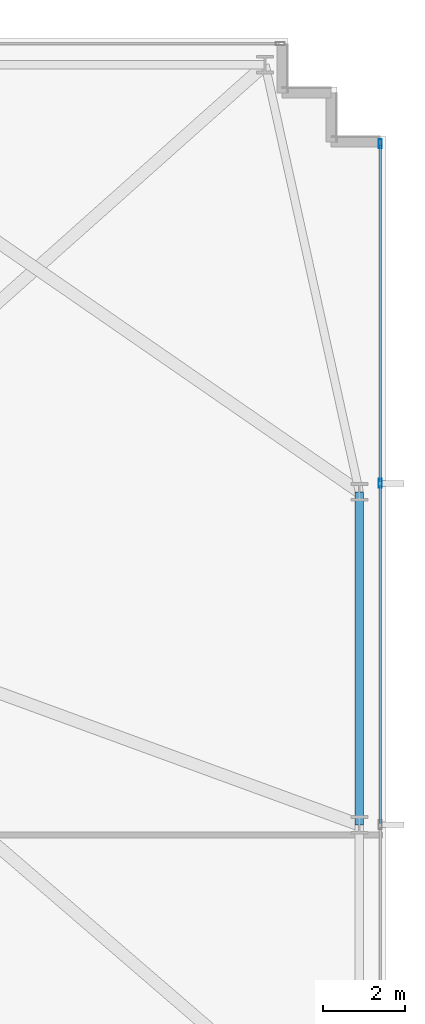
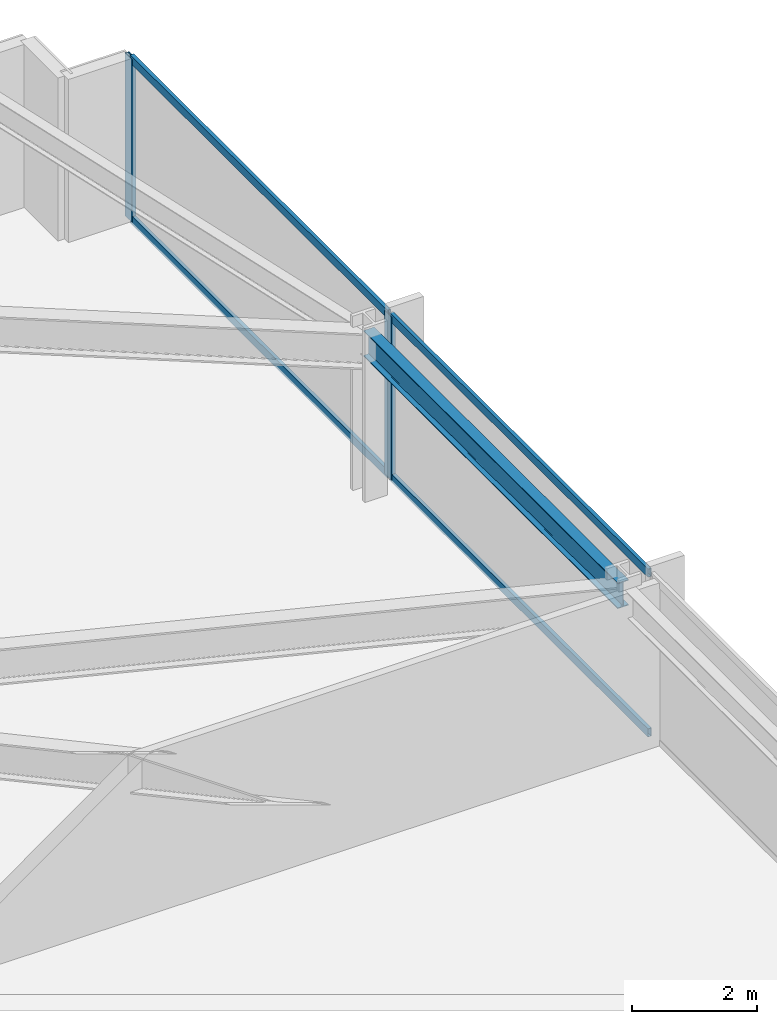
# One storey, part 23 of 33: 6 members, 1 beam, 1 element without a shape of its own.
"""IFC4 building model written with IfcOpenShell, lengths in metres."""

from ifc_helpers import new_model, si_unit, direction, frame, origin, origin_2d, place, context, subcontext, project, spatial, hollow_rectangle, i_section, extrude, material, material_profile, profile_set, type_object, element, aggregate, save


model = new_model("IFC4")

# Units and contexts
model_context = context("Model", 3, precision=1e-05, world=origin(), true_north=direction((0.0, 1.0)))
body_context = subcontext(model_context, "Body", "Model", "MODEL_VIEW")
ifc_project = project(units=[si_unit("LENGTHUNIT", "METRE"), si_unit("AREAUNIT", "SQUARE_METRE"), si_unit("VOLUMEUNIT", "CUBIC_METRE"), si_unit("PLANEANGLEUNIT", "RADIAN"), si_unit("MASSUNIT", "GRAM", prefix="KILO")], contexts=[model_context])

# Site, building, storey
site_placement = place(None, origin())
site = spatial("IfcSite", under=ifc_project, at=site_placement, CompositionType="ELEMENT")
building_placement = place(site_placement, origin())
building = spatial("IfcBuilding", under=site, at=building_placement, Name="Yelkora Congress Tower", CompositionType="ELEMENT")
storey_placement = place(building_placement, frame((0.0, 0.0, 64.39990234375)))
storey = spatial("IfcBuildingStorey", under=building, at=storey_placement, Name="L16", CompositionType="ELEMENT", Elevation=64.39990234375)

# Beam
ifc_material_1 = material(Name="Steel S355J2", Category="steel")
ifc_material_profile_1 = material_profile(ifc_material_1, i_section(OverallWidth=0.199951171875, OverallDepth=0.5, WebThickness=0.01025390625, FlangeThickness=0.01611328125, FilletRadius=0.02099609375, at=origin_2d()), Name="IPE 500")
ifc_profile_set_1 = profile_set([ifc_material_profile_1], Name="Steel S355J2")
beam_type = type_object("IfcBeamType", Name="BM-SPAN-IPE500", PredefinedType="SPANDREL", material=ifc_profile_set_1)
beam_placement = place(storey_placement, frame((70.14990234375, 29.39990234375, 2.93017578125), z_axis=(0.0, 1.0, 0.0), x_axis=(-1.0, 0.0, 0.0)))
element("IfcBeam", 1, at=beam_placement, inside=storey, type_object=beam_type, Name="L16 Perimeter Beam 12", PredefinedType="SPANDREL", context=body_context, shape_type="SweptSolid", body=[
    extrude(i_section(OverallWidth=0.199951171875, OverallDepth=0.5, WebThickness=0.01025390625, FlangeThickness=0.01611328125, FilletRadius=0.02099609375, at=origin_2d()), origin(), (0.0, 0.0, 1.0), 8.125),
])

# Curtain wall, members
ifc_material_2 = material(Name="Anodised aluminium and insulated glass", Category="aluminium")
curtain_wall_type = type_object("IfcCurtainWallType", Name="CW-SYS-B1", PredefinedType="NOTDEFINED", material=ifc_material_2)
curtain_wall_placement = place(storey_placement, origin())
curtain_wall = element("IfcCurtainWall", 2, at=curtain_wall_placement, inside=storey, type_object=curtain_wall_type, Name="L16 Unitised Curtain Wall 15", PredefinedType="NOTDEFINED")
ifc_material_3 = material(Name="Anodised aluminium 6063-T6", Category="aluminium")
ifc_material_profile_2 = material_profile(ifc_material_3, hollow_rectangle(XDim=0.074951171875, YDim=0.219970703125, WallThickness=0.0048828125, at=origin_2d()), Name="ALU 75x220x5")
ifc_profile_set_2 = profile_set([ifc_material_profile_2], Name="Anodised aluminium 6063-T6")
member_type_1 = type_object("IfcMemberType", Name="MEM-ML-B1", PredefinedType="MULLION", material=ifc_profile_set_2)
member_1_placement = place(storey_placement, frame((70.659912109375, 46.0224609375, 0.0), z_axis=(0.0, 0.0, 1.0), x_axis=(1.0, 0.0, 0.0)))
member_1 = element("IfcMember", 3, at=member_1_placement, type_object=member_type_1, Name="CW-B1 mullion 1", PredefinedType="MULLION", context=body_context, shape_type="SweptSolid", body=[
    extrude(hollow_rectangle(XDim=0.074951171875, YDim=0.219970703125, WallThickness=0.0048828125, at=origin_2d()), origin(), (0.0, 0.0, 1.0), 3.18017578125),
])
member_2_placement = place(storey_placement, frame((70.659912109375, 37.72998046875, 0.0), z_axis=(0.0, 0.0, 1.0), x_axis=(1.0, 0.0, 0.0)))
member_2 = element("IfcMember", 4, at=member_2_placement, type_object=member_type_1, Name="CW-B1 mullion 2", PredefinedType="MULLION", context=body_context, shape_type="SweptSolid", body=[
    extrude(hollow_rectangle(XDim=0.074951171875, YDim=0.219970703125, WallThickness=0.0048828125, at=origin_2d()), origin(), (0.0, 0.0, 1.0), 3.18017578125),
])
ifc_material_profile_3 = material_profile(ifc_material_3, hollow_rectangle(XDim=0.06494140625, YDim=0.159912109375, WallThickness=0.00390625, at=origin_2d()), Name="ALU 65x160x4")
ifc_profile_set_3 = profile_set([ifc_material_profile_3], Name="Anodised aluminium 6063-T6")
member_type_2 = type_object("IfcMemberType", Name="MEM-TR-B1", PredefinedType="USERDEFINED", material=ifc_profile_set_3)
member_3_placement = place(storey_placement, frame((70.659912109375, 45.985107421875, 0.03271484375), z_axis=(0.0, -1.0, 0.0), x_axis=(1.0, 0.0, 0.0)))
member_3 = element("IfcMember", 5, at=member_3_placement, type_object=member_type_2, Name="CW-B1 transom 1.1", ObjectType="TRANSOM", PredefinedType="USERDEFINED", context=body_context, shape_type="SweptSolid", body=[
    extrude(hollow_rectangle(XDim=0.06494140625, YDim=0.159912109375, WallThickness=0.00390625, at=origin_2d()), origin(), (0.0, 0.0, 1.0), 8.217529296875),
])
member_4_placement = place(storey_placement, frame((70.659912109375, 45.985107421875, 3.147705078125), z_axis=(0.0, -1.0, 0.0), x_axis=(1.0, 0.0, 0.0)))
member_4 = element("IfcMember", 6, at=member_4_placement, type_object=member_type_2, Name="CW-B1 transom 1.2", ObjectType="TRANSOM", PredefinedType="USERDEFINED", context=body_context, shape_type="SweptSolid", body=[
    extrude(hollow_rectangle(XDim=0.06494140625, YDim=0.159912109375, WallThickness=0.00390625, at=origin_2d()), origin(), (0.0, 0.0, 1.0), 8.217529296875),
])
member_5_placement = place(storey_placement, frame((70.659912109375, 37.6923828125, 0.03271484375), z_axis=(0.0, -1.0, 0.0), x_axis=(1.0, 0.0, 0.0)))
member_5 = element("IfcMember", 7, at=member_5_placement, type_object=member_type_2, Name="CW-B1 transom 2.1", ObjectType="TRANSOM", PredefinedType="USERDEFINED", context=body_context, shape_type="SweptSolid", body=[
    extrude(hollow_rectangle(XDim=0.06494140625, YDim=0.159912109375, WallThickness=0.00390625, at=origin_2d()), origin(), (0.0, 0.0, 1.0), 8.2548828125),
])
member_6_placement = place(storey_placement, frame((70.659912109375, 37.6923828125, 3.147705078125), z_axis=(0.0, -1.0, 0.0), x_axis=(1.0, 0.0, 0.0)))
member_6 = element("IfcMember", 8, at=member_6_placement, type_object=member_type_2, Name="CW-B1 transom 2.2", ObjectType="TRANSOM", PredefinedType="USERDEFINED", context=body_context, shape_type="SweptSolid", body=[
    extrude(hollow_rectangle(XDim=0.06494140625, YDim=0.159912109375, WallThickness=0.00390625, at=origin_2d()), origin(), (0.0, 0.0, 1.0), 8.2548828125),
])
aggregate(curtain_wall, [member_1, member_2, member_3, member_4, member_5, member_6])

save(model, "model.ifc")
